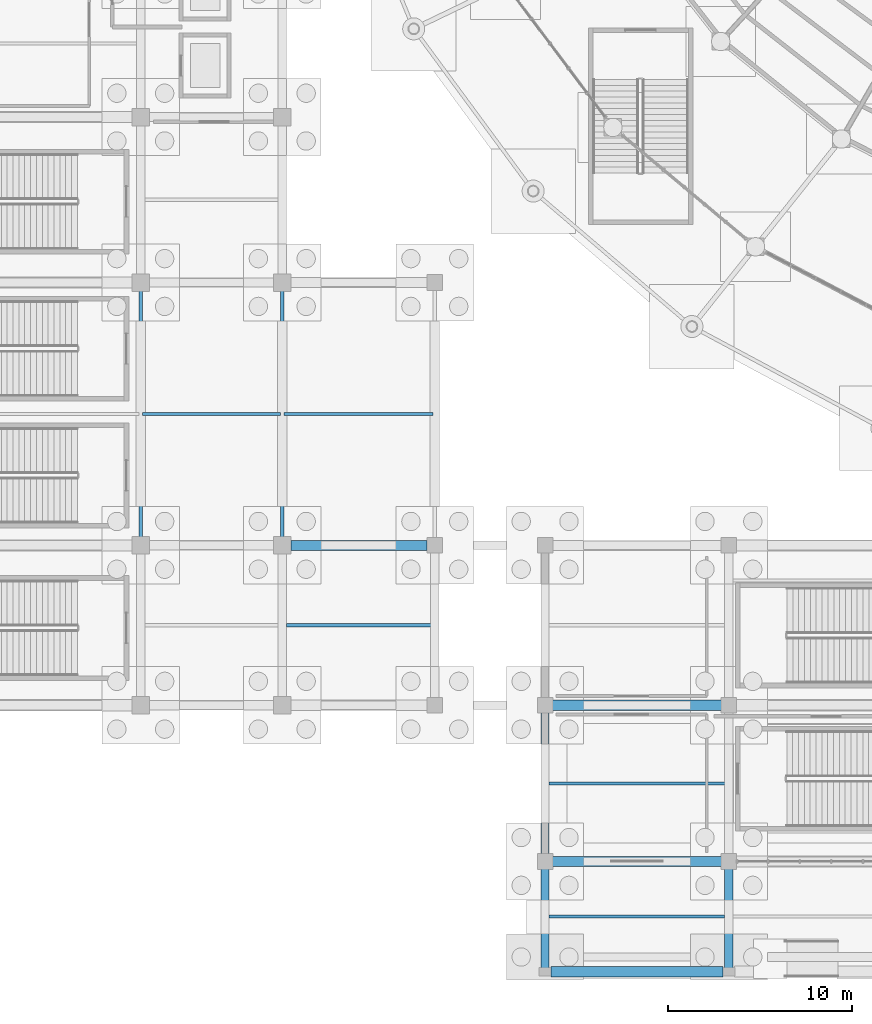
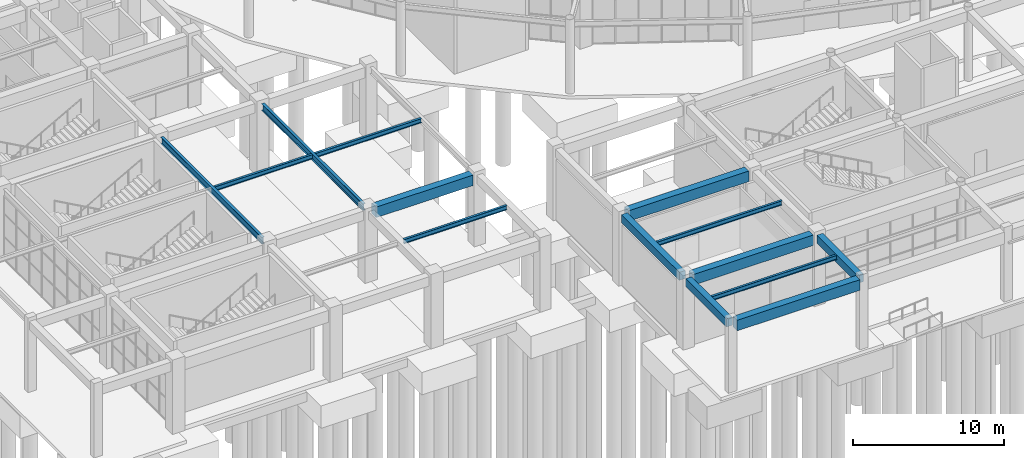
# One storey, part 23 of 121: 14 beams.
"""IFC4 building model written with IfcOpenShell, lengths in metres."""

from ifc_helpers import new_model, si_unit, direction, frame, origin, origin_2d, place, context, subcontext, project, spatial, rectangle, i_section, extrude, material, material_profile, profile_set, type_object, element, save


model = new_model("IFC4")

# Units and contexts
model_context = context("Model", 3, precision=1e-05, world=origin(), true_north=direction((0.0, 1.0)))
body_context = subcontext(model_context, "Body", "Model", "MODEL_VIEW")
ifc_project = project(units=[si_unit("LENGTHUNIT", "METRE"), si_unit("AREAUNIT", "SQUARE_METRE"), si_unit("VOLUMEUNIT", "CUBIC_METRE"), si_unit("PLANEANGLEUNIT", "RADIAN"), si_unit("MASSUNIT", "GRAM", prefix="KILO")], contexts=[model_context])

# Site, building, storey
site_placement = place(None, origin())
site = spatial("IfcSite", under=ifc_project, at=site_placement, CompositionType="ELEMENT")
building_placement = place(site_placement, origin())
building = spatial("IfcBuilding", under=site, at=building_placement, Name="Cuetzalor Civic Arena", CompositionType="ELEMENT")
storey_placement = place(building_placement, origin())
storey = spatial("IfcBuildingStorey", under=building, at=storey_placement, Name="L00", CompositionType="ELEMENT", Elevation=0.0)

# Beams
ifc_material_1 = material(Name="Concrete C40/50", Category="concrete")
ifc_material_profile_1 = material_profile(ifc_material_1, rectangle(XDim=0.550048828125, YDim=0.85009765625, at=origin_2d()), Name="RC 550x850")
ifc_profile_set_1 = profile_set([ifc_material_profile_1], Name="Concrete C40/50")
beam_type_1 = type_object("IfcBeamType", Name="ConcreteFrameBeam_550x850", PredefinedType="BEAM", material=ifc_profile_set_1)
beam_1_placement = place(storey_placement, frame((-41.68505859375, -71.5, 5.27490234375), z_axis=(1.0, 0.0, 0.0), x_axis=(0.0, 1.0, 0.0)))
element("IfcBeam", 1, at=beam_1_placement, inside=storey, type_object=beam_type_1, Name="Frame Girder V3-L00-X0001", PredefinedType="BEAM", context=body_context, shape_type="SweptSolid", body=[
    extrude(rectangle(XDim=0.550048828125, YDim=0.85009765625, at=origin_2d()), origin(), (0.0, 0.0, 1.0), 9.3701171875),
])
for number, where, z_axis, x_axis, name in (
    (2, (-41.5849609375, -65.5, 5.27490234375), (1.0, 0.0, 0.0), (0.0, 1.0, 0.0), "Frame Girder V3-L00-X0009"),
    (3, (-41.5849609375, -57.0, 5.27490234375), (1.0, 0.0, 0.0), (0.0, 1.0, 0.0), "Frame Girder V3-L00-X0017"),
):
    element("IfcBeam", number, at=place(storey_placement, frame(where, z_axis=z_axis, x_axis=x_axis)), inside=storey, type_object=beam_type_1, Name=name, PredefinedType="BEAM", context=body_context, shape_type="SweptSolid", body=[
        extrude(rectangle(XDim=0.550048828125, YDim=0.85009765625, at=origin_2d()), origin(), (0.0, 0.0, 1.0), 9.169921875),
    ])
beam_2_placement = place(storey_placement, frame((-55.8349609375, -48.300048828125, 5.27490234375), z_axis=(1.0, 0.0, 0.0), x_axis=(0.0, 1.0, 0.0)))
element("IfcBeam", 4, at=beam_2_placement, inside=storey, type_object=beam_type_1, Name="Frame Girder V4W-L00-X0064", PredefinedType="BEAM", context=body_context, shape_type="SweptSolid", body=[
    extrude(rectangle(XDim=0.550048828125, YDim=0.85009765625, at=origin_2d()), origin(), (0.0, 0.0, 1.0), 7.419921875),
])
ifc_material_2 = material(Name="Concrete C40/50", Category="concrete")
ifc_material_profile_2 = material_profile(ifc_material_2, rectangle(XDim=0.449951171875, YDim=0.64990234375, at=origin_2d()), Name="RC 450x650")
ifc_profile_set_2 = profile_set([ifc_material_profile_2], Name="Concrete C40/50")
beam_type_2 = type_object("IfcBeamType", Name="ConcreteTieBeam_450x650", PredefinedType="BEAM", material=ifc_profile_set_2)
beam_3_placement = place(storey_placement, frame((-42.0, -71.284912109375, 5.375), z_axis=(0.0, 1.0, 0.0), x_axis=(-1.0, 0.0, 0.0)))
element("IfcBeam", 5, at=beam_3_placement, inside=storey, type_object=beam_type_2, Name="Frame Girder V3-L00-Y0031", PredefinedType="BEAM", context=body_context, shape_type="SweptSolid", body=[
    extrude(rectangle(XDim=0.449951171875, YDim=0.64990234375, at=origin_2d()), origin(), (0.0, 0.0, 1.0), 5.369873046875),
])
beam_4_placement = place(storey_placement, frame((-42.0, -65.0849609375, 5.375), z_axis=(0.0, 1.0, 0.0), x_axis=(-1.0, 0.0, 0.0)))
element("IfcBeam", 6, at=beam_4_placement, inside=storey, type_object=beam_type_2, Name="Frame Girder V3-L00-Y0032", PredefinedType="BEAM", context=body_context, shape_type="SweptSolid", body=[
    extrude(rectangle(XDim=0.449951171875, YDim=0.64990234375, at=origin_2d()), origin(), (0.0, 0.0, 1.0), 7.669921875),
])
beam_5_placement = place(storey_placement, frame((-32.0, -71.284912109375, 5.375), z_axis=(0.0, 1.0, 0.0), x_axis=(-1.0, 0.0, 0.0)))
element("IfcBeam", 7, at=beam_5_placement, inside=storey, type_object=beam_type_2, Name="Frame Girder V3-L00-Y0034", PredefinedType="BEAM", context=body_context, shape_type="SweptSolid", body=[
    extrude(rectangle(XDim=0.449951171875, YDim=0.64990234375, at=origin_2d()), origin(), (0.0, 0.0, 1.0), 5.369873046875),
])
ifc_material_3 = material(Name="Steel S355", Category="steel")
ifc_material_profile_3 = material_profile(ifc_material_3, i_section(OverallWidth=0.1708984375, OverallDepth=0.35498046875, WebThickness=0.007080078125, FlangeThickness=0.01171875, at=origin_2d()), Name="W360x51")
ifc_profile_set_3 = profile_set([ifc_material_profile_3], Name="Steel S355")
beam_type_3 = type_object("IfcBeamType", Name="SecondaryFloorJoist_W360", PredefinedType="JOIST", material=ifc_profile_set_3)
for number, where, z_axis, x_axis, name in (
    (8, (-41.782958984375, -68.5, 5.5224609375), (1.0, 0.0, 0.0), (0.0, 1.0, 0.0), "Secondary Floor Joist V3-L00-0001"),
    (9, (-41.782958984375, -61.25, 5.5224609375), (1.0, 0.0, 0.0), (0.0, 1.0, 0.0), "Secondary Floor Joist V3-L00-0002"),
):
    element("IfcBeam", number, at=place(storey_placement, frame(where, z_axis=z_axis, x_axis=x_axis)), inside=storey, type_object=beam_type_3, Name=name, PredefinedType="JOIST", context=body_context, shape_type="SweptSolid", body=[
        extrude(i_section(OverallWidth=0.1708984375, OverallDepth=0.35498046875, WebThickness=0.007080078125, FlangeThickness=0.01171875, at=origin_2d()), origin(), (0.0, 0.0, 1.0), 9.56591796875),
    ])
beam_6_placement = place(storey_placement, frame((-63.903564453125, -41.14990234375, 5.5224609375), z_axis=(1.0, 0.0, 0.0), x_axis=(0.0, 1.0, 0.0)))
element("IfcBeam", 10, at=beam_6_placement, inside=storey, type_object=beam_type_3, Name="Secondary Floor Joist V4W-L00-0033", PredefinedType="JOIST", context=body_context, shape_type="SweptSolid", body=[
    extrude(i_section(OverallWidth=0.1708984375, OverallDepth=0.35498046875, WebThickness=0.007080078125, FlangeThickness=0.01171875, at=origin_2d()), origin(), (0.0, 0.0, 1.0), 7.507080078125),
])
beam_7_placement = place(storey_placement, frame((-56.0830078125, -52.64990234375, 5.5224609375), z_axis=(1.0, 0.0, 0.0), x_axis=(0.0, 1.0, 0.0)))
element("IfcBeam", 11, at=beam_7_placement, inside=storey, type_object=beam_type_3, Name="Secondary Floor Joist V4W-L00-0041", PredefinedType="JOIST", context=body_context, shape_type="SweptSolid", body=[
    extrude(i_section(OverallWidth=0.1708984375, OverallDepth=0.35498046875, WebThickness=0.007080078125, FlangeThickness=0.01171875, at=origin_2d()), origin(), (0.0, 0.0, 1.0), 7.865966796875),
])
beam_8_placement = place(storey_placement, frame((-56.20361328125, -41.14990234375, 5.5224609375), z_axis=(1.0, 0.0, 0.0), x_axis=(0.0, 1.0, 0.0)))
element("IfcBeam", 12, at=beam_8_placement, inside=storey, type_object=beam_type_3, Name="Secondary Floor Joist V4W-L00-0042", PredefinedType="JOIST", context=body_context, shape_type="SweptSolid", body=[
    extrude(i_section(OverallWidth=0.1708984375, OverallDepth=0.35498046875, WebThickness=0.007080078125, FlangeThickness=0.01171875, at=origin_2d()), origin(), (0.0, 0.0, 1.0), 8.107177734375),
])
ifc_material_4 = material(Name="Steel S355", Category="steel")
ifc_material_profile_4 = material_profile(ifc_material_4, i_section(OverallWidth=0.208984375, OverallDepth=0.532958984375, WebThickness=0.01025390625, FlangeThickness=0.015625, at=origin_2d()), Name="W530x92")
ifc_profile_set_4 = profile_set([ifc_material_profile_4], Name="Steel S355")
beam_type_4 = type_object("IfcBeamType", Name="SteelCollarGirder_W530", PredefinedType="BEAM", material=ifc_profile_set_4)
for number, where, z_axis, x_axis, name in (
    (13, (-64.0, -47.8349609375, 5.43359375), (0.0, 1.0, 0.0), (-1.0, 0.0, 0.0), "Frame Girder V4W-L00-Y0114"),
    (14, (-56.300048828125, -47.8349609375, 5.43359375), (0.0, 1.0, 0.0), (-1.0, 0.0, 0.0), "Frame Girder V4W-L00-Y0124"),
):
    element("IfcBeam", number, at=place(storey_placement, frame(where, z_axis=z_axis, x_axis=x_axis)), inside=storey, type_object=beam_type_4, Name=name, PredefinedType="BEAM", context=body_context, shape_type="SweptSolid", body=[
        extrude(i_section(OverallWidth=0.208984375, OverallDepth=0.532958984375, WebThickness=0.01025390625, FlangeThickness=0.015625, at=origin_2d()), origin(), (0.0, 0.0, 1.0), 13.369873046875),
    ])

save(model, "model.ifc")
